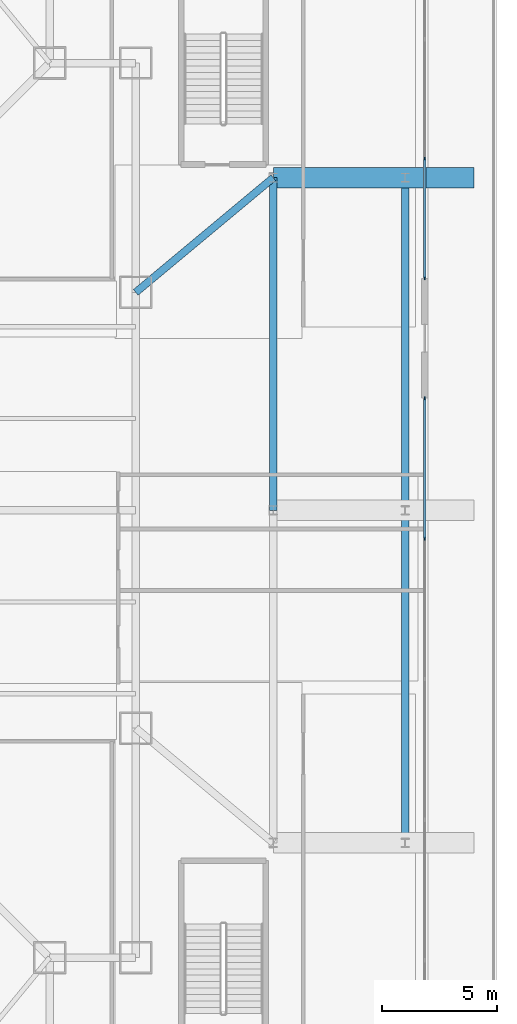
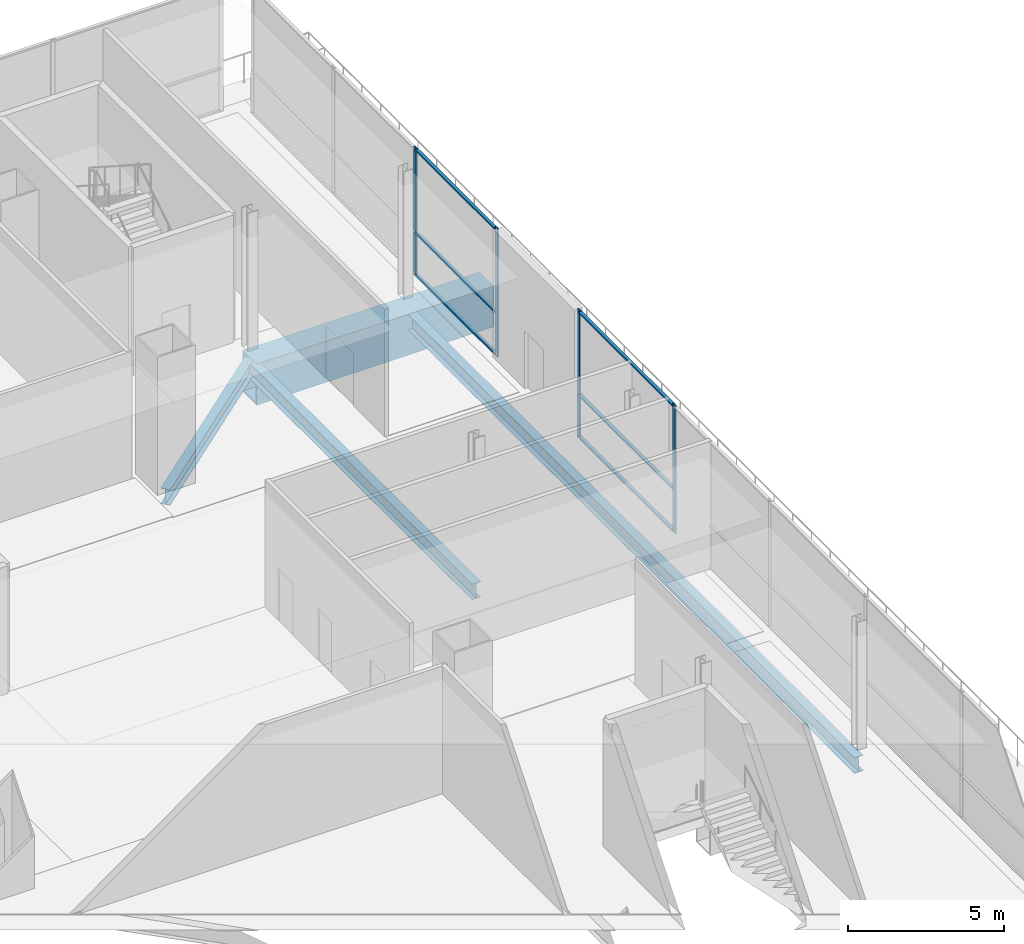
# One storey, part 18 of 35: 10 members, 4 beams, 2 elements without a shape of their own.
"""IFC4 building model written with IfcOpenShell, lengths in metres."""

from ifc_helpers import new_model, si_unit, direction, frame, origin, origin_2d, place, context, subcontext, project, spatial, rectangle, hollow_rectangle, i_section, extrude, material, layer, layer_set, material_profile, profile_set, type_object, element, aggregate, save


model = new_model("IFC4")

# Units and contexts
model_context = context("Model", 3, precision=1e-05, world=origin(), true_north=direction((0.0, 1.0)))
body_context = subcontext(model_context, "Body", "Model", "MODEL_VIEW")
ifc_project = project(units=[si_unit("LENGTHUNIT", "METRE"), si_unit("AREAUNIT", "SQUARE_METRE"), si_unit("VOLUMEUNIT", "CUBIC_METRE"), si_unit("PLANEANGLEUNIT", "RADIAN"), si_unit("MASSUNIT", "GRAM", prefix="KILO")], contexts=[model_context])

# Site, building, storey
site_placement = place(None, origin())
site = spatial("IfcSite", under=ifc_project, at=site_placement, CompositionType="ELEMENT")
building_placement = place(site_placement, origin())
building = spatial("IfcBuilding", under=site, at=building_placement, Name="Trevonay Congress Spire", CompositionType="ELEMENT")
storey_placement = place(building_placement, frame((0.0, 0.0, 10.800048828125)))
storey = spatial("IfcBuildingStorey", under=building, at=storey_placement, Name="L02", CompositionType="ELEMENT", Elevation=10.800048828125)

# Beams
ifc_material_1 = material(Name="Steel ASTM A572 Grade 50", Category="steel")
ifc_material_profile_1 = material_profile(ifc_material_1, i_section(OverallWidth=0.324951171875, OverallDepth=0.615966796875, WebThickness=0.013916015625, FlangeThickness=0.021484375, FilletRadius=0.01806640625, at=origin_2d()), Name="W610x174")
ifc_profile_set_1 = profile_set([ifc_material_profile_1], Name="Steel ASTM A572 Grade 50")
beam_type_1 = type_object("IfcBeamType", Name="BM-GIRD-W610X174", PredefinedType="BEAM", material=ifc_profile_set_1)
beam_1_placement = place(storey_placement, frame((29.25, 0.0, -0.7080078125), z_axis=(0.0, 1.0, 0.0), x_axis=(-1.0, 0.0, 0.0)))
element("IfcBeam", 1, at=beam_1_placement, inside=storey, type_object=beam_type_1, Name="L02 structural beam BM-L02-POD-EH", PredefinedType="BEAM", context=body_context, shape_type="SweptSolid", body=[
    extrude(i_section(OverallWidth=0.324951171875, OverallDepth=0.615966796875, WebThickness=0.013916015625, FlangeThickness=0.021484375, FilletRadius=0.01806640625, at=origin_2d()), origin(), (0.0, 0.0, 1.0), 14.5),
])
beam_2_placement = place(storey_placement, frame((23.25, 9.5, -0.7080078125), z_axis=(0.768221279597, 0.640184399664, 0.0), x_axis=(-0.640184399664, 0.768221279597, 0.0)))
element("IfcBeam", 2, at=beam_2_placement, inside=storey, type_object=beam_type_1, Name="L02 structural beam BM-L02-POD-ET2", PredefinedType="BEAM", context=body_context, shape_type="SweptSolid", body=[
    extrude(i_section(OverallWidth=0.324951171875, OverallDepth=0.615966796875, WebThickness=0.013916015625, FlangeThickness=0.021484375, FilletRadius=0.01806640625, at=origin_2d()), origin(), (0.0, 0.0, 1.0), 7.810302734375),
])
beam_3_placement = place(storey_placement, frame((35.0, -14.5, -0.7080078125), z_axis=(0.0, 1.0, 0.0), x_axis=(-1.0, 0.0, 0.0)))
element("IfcBeam", 3, at=beam_3_placement, inside=storey, type_object=beam_type_1, Name="L02 structural beam BM-L02-EXEL", PredefinedType="BEAM", context=body_context, shape_type="SweptSolid", body=[
    extrude(i_section(OverallWidth=0.324951171875, OverallDepth=0.615966796875, WebThickness=0.013916015625, FlangeThickness=0.021484375, FilletRadius=0.01806640625, at=origin_2d()), origin(), (0.0, 0.0, 1.0), 29.0),
])
ifc_material_profile_2 = material_profile(ifc_material_1, hollow_rectangle(XDim=0.89990234375, YDim=1.60009765625, WallThickness=0.06005859375, at=origin_2d()), Name="BOX 1600x900x60")
ifc_profile_set_2 = profile_set([ifc_material_profile_2], Name="Steel ASTM A572 Grade 50")
beam_type_2 = type_object("IfcBeamType", Name="BM-XFER-BOX1600", PredefinedType="BEAM", material=ifc_profile_set_2)
beam_4_placement = place(storey_placement, frame((29.25, 14.5, -1.199951171875), z_axis=(1.0, 0.0, 0.0), x_axis=(0.0, 1.0, 0.0)))
element("IfcBeam", 4, at=beam_4_placement, inside=storey, type_object=beam_type_2, Name="L02 structural beam BM-L02-EXE-N", PredefinedType="BEAM", context=body_context, shape_type="SweptSolid", body=[
    extrude(hollow_rectangle(XDim=0.89990234375, YDim=1.60009765625, WallThickness=0.06005859375, at=origin_2d()), origin(), (0.0, 0.0, 1.0), 8.75),
])

# Curtain wall, members
ifc_material_2 = material(Name="Pale Anodised Aluminium EN AW-6063-T6", Category="aluminium")
ifc_layer = layer(ifc_material_2, 0.179931640625, Name="Pale Anodised Aluminium EN AW-6063-T6")
ifc_layer_set = layer_set([ifc_layer], Name="Pale Anodised Aluminium EN AW-6063-T6")
curtain_wall_type = type_object("IfcCurtainWallType", Name="CW-SYS01-PODIUM-PALE-METAL", PredefinedType="NOTDEFINED", material=ifc_layer_set)
curtain_wall_1_placement = place(storey_placement, origin())
curtain_wall_1 = element("IfcCurtainWall", 5, at=curtain_wall_1_placement, inside=storey, type_object=curtain_wall_type, Name="L02 E1 podium curtain wall", PredefinedType="NOTDEFINED")
ifc_material_profile_3 = material_profile(ifc_material_2, rectangle(XDim=0.06005859375, YDim=0.159912109375, at=origin_2d()), Name="CW-MULLION-160-ALUMINIUM")
ifc_profile_set_3 = profile_set([ifc_material_profile_3], Name="Pale Anodised Aluminium EN AW-6063-T6")
member_type_1 = type_object("IfcMemberType", Name="CW-MULLION-160-ALUMINIUM", PredefinedType="MULLION", material=ifc_profile_set_3)
member_1_placement = place(storey_placement, frame((35.85009765625, -1.22998046875, 0.0), z_axis=(0.0, 0.0, 1.0), x_axis=(-1.0, 0.0, 0.0)))
member_1 = element("IfcMember", 6, at=member_1_placement, type_object=member_type_1, Name="CW01 mullion 5", PredefinedType="MULLION", context=body_context, shape_type="SweptSolid", body=[
    extrude(rectangle(XDim=0.06005859375, YDim=0.159912109375, at=origin_2d()), origin(), (0.0, 0.0, 1.0), 5.0),
])
member_2_placement = place(storey_placement, frame((35.85009765625, 4.8701171875, 0.0), z_axis=(0.0, 0.0, 1.0), x_axis=(-1.0, 0.0, 0.0)))
member_2 = element("IfcMember", 7, at=member_2_placement, type_object=member_type_1, Name="CW01 mullion 6", PredefinedType="MULLION", context=body_context, shape_type="SweptSolid", body=[
    extrude(rectangle(XDim=0.06005859375, YDim=0.159912109375, at=origin_2d()), origin(), (0.0, 0.0, 1.0), 5.0),
])

curtain_wall_2_placement = place(storey_placement, origin())
curtain_wall_2 = element("IfcCurtainWall", 8, at=curtain_wall_2_placement, inside=storey, type_object=curtain_wall_type, Name="L02 E2 podium curtain wall", PredefinedType="NOTDEFINED")
member_3_placement = place(storey_placement, frame((35.85009765625, 10.1298828125, 0.0), z_axis=(0.0, 0.0, 1.0), x_axis=(-1.0, 0.0, 0.0)))
member_3 = element("IfcMember", 9, at=member_3_placement, type_object=member_type_1, Name="CW01 mullion 1", PredefinedType="MULLION", context=body_context, shape_type="SweptSolid", body=[
    extrude(rectangle(XDim=0.06005859375, YDim=0.159912109375, at=origin_2d()), origin(), (0.0, 0.0, 1.0), 5.0),
])
member_4_placement = place(storey_placement, frame((35.85009765625, 15.316650390625, 0.0), z_axis=(0.0, 0.0, 1.0), x_axis=(-1.0, 0.0, 0.0)))
member_4 = element("IfcMember", 10, at=member_4_placement, type_object=member_type_1, Name="CW01 mullion 2", PredefinedType="MULLION", context=body_context, shape_type="SweptSolid", body=[
    extrude(rectangle(XDim=0.06005859375, YDim=0.159912109375, at=origin_2d()), origin(), (0.0, 0.0, 1.0), 5.0),
])

# Member
ifc_material_profile_4 = material_profile(ifc_material_2, rectangle(XDim=0.1201171875, YDim=0.06005859375, at=origin_2d()), Name="CW-TRANSOM-120-ALUMINIUM")
ifc_profile_set_4 = profile_set([ifc_material_profile_4], Name="Pale Anodised Aluminium EN AW-6063-T6")
member_type_2 = type_object("IfcMemberType", Name="CW-TRANSOM-120-ALUMINIUM", PredefinedType="USERDEFINED", material=ifc_profile_set_4)
member_5_placement = place(storey_placement, frame((35.85009765625, -1.199951171875, 0.06005859375), z_axis=(0.0, 1.0, 0.0), x_axis=(-1.0, 0.0, 0.0)))
member_5 = element("IfcMember", 11, at=member_5_placement, type_object=member_type_2, Name="CW01 transom 5.1", ObjectType="TRANSOM", PredefinedType="USERDEFINED", context=body_context, shape_type="SweptSolid", body=[
    extrude(rectangle(XDim=0.1201171875, YDim=0.06005859375, at=origin_2d()), origin(), (0.0, 0.0, 1.0), 6.0400390625),
])

member_6_placement = place(storey_placement, frame((35.85009765625, -1.199951171875, 1.699951171875), z_axis=(0.0, 1.0, 0.0), x_axis=(-1.0, 0.0, 0.0)))
member_6 = element("IfcMember", 12, at=member_6_placement, type_object=member_type_2, Name="CW01 transom 5.2", ObjectType="TRANSOM", PredefinedType="USERDEFINED", context=body_context, shape_type="SweptSolid", body=[
    extrude(rectangle(XDim=0.1201171875, YDim=0.06005859375, at=origin_2d()), origin(), (0.0, 0.0, 1.0), 6.0400390625),
])

member_7_placement = place(storey_placement, frame((35.85009765625, -1.199951171875, 4.93994140625), z_axis=(0.0, 1.0, 0.0), x_axis=(-1.0, 0.0, 0.0)))
member_7 = element("IfcMember", 13, at=member_7_placement, type_object=member_type_2, Name="CW01 transom 5.3", ObjectType="TRANSOM", PredefinedType="USERDEFINED", context=body_context, shape_type="SweptSolid", body=[
    extrude(rectangle(XDim=0.1201171875, YDim=0.06005859375, at=origin_2d()), origin(), (0.0, 0.0, 1.0), 6.0400390625),
])

aggregate(curtain_wall_1, [member_1, member_2, member_5, member_6, member_7])

member_8_placement = place(storey_placement, frame((35.85009765625, 10.159912109375, 0.06005859375), z_axis=(0.0, 1.0, 0.0), x_axis=(-1.0, 0.0, 0.0)))
member_8 = element("IfcMember", 14, at=member_8_placement, type_object=member_type_2, Name="CW01 transom 1.1", ObjectType="TRANSOM", PredefinedType="USERDEFINED", context=body_context, shape_type="SweptSolid", body=[
    extrude(rectangle(XDim=0.1201171875, YDim=0.06005859375, at=origin_2d()), origin(), (0.0, 0.0, 1.0), 5.126708984375),
])

member_9_placement = place(storey_placement, frame((35.85009765625, 10.159912109375, 1.699951171875), z_axis=(0.0, 1.0, 0.0), x_axis=(-1.0, 0.0, 0.0)))
member_9 = element("IfcMember", 15, at=member_9_placement, type_object=member_type_2, Name="CW01 transom 1.2", ObjectType="TRANSOM", PredefinedType="USERDEFINED", context=body_context, shape_type="SweptSolid", body=[
    extrude(rectangle(XDim=0.1201171875, YDim=0.06005859375, at=origin_2d()), origin(), (0.0, 0.0, 1.0), 5.126708984375),
])

member_10_placement = place(storey_placement, frame((35.85009765625, 10.159912109375, 4.93994140625), z_axis=(0.0, 1.0, 0.0), x_axis=(-1.0, 0.0, 0.0)))
member_10 = element("IfcMember", 16, at=member_10_placement, type_object=member_type_2, Name="CW01 transom 1.3", ObjectType="TRANSOM", PredefinedType="USERDEFINED", context=body_context, shape_type="SweptSolid", body=[
    extrude(rectangle(XDim=0.1201171875, YDim=0.06005859375, at=origin_2d()), origin(), (0.0, 0.0, 1.0), 5.126708984375),
])

aggregate(curtain_wall_2, [member_3, member_4, member_8, member_9, member_10])

save(model, "model.ifc")
